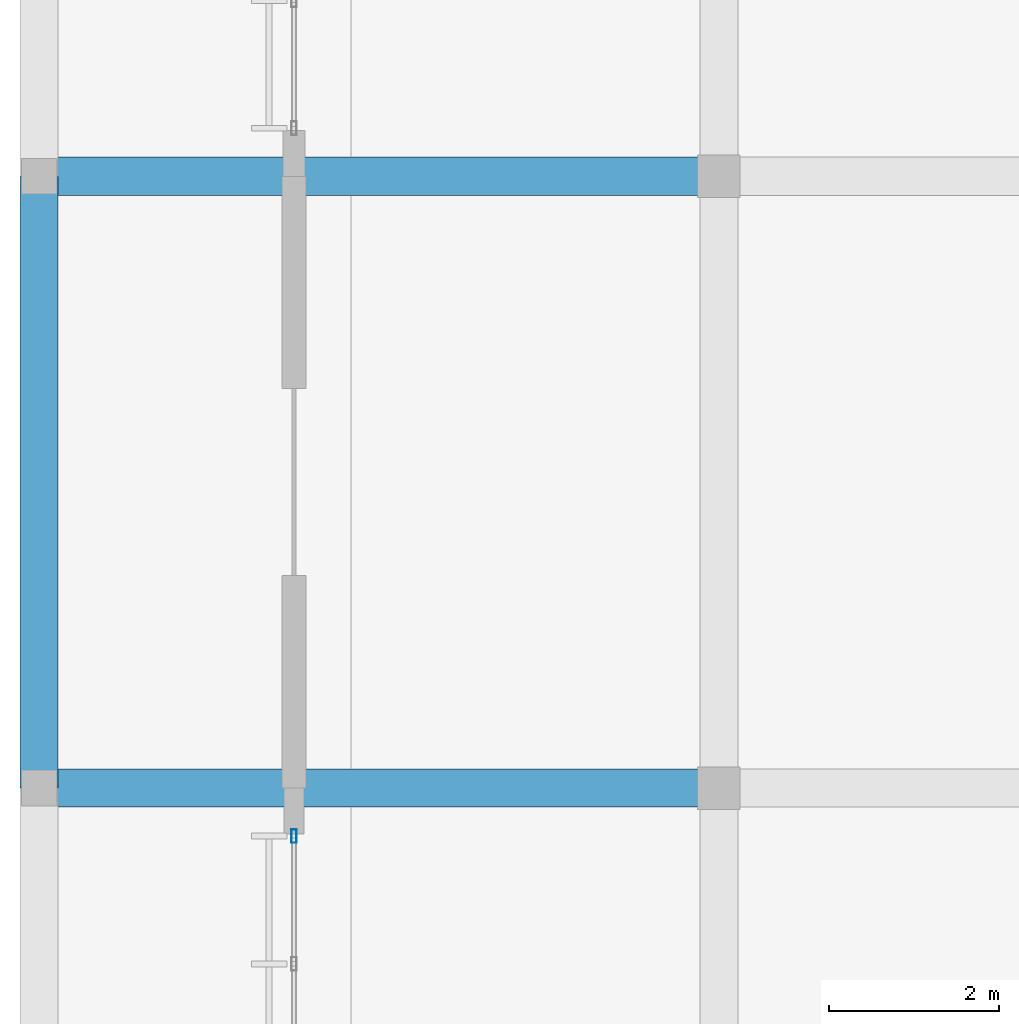
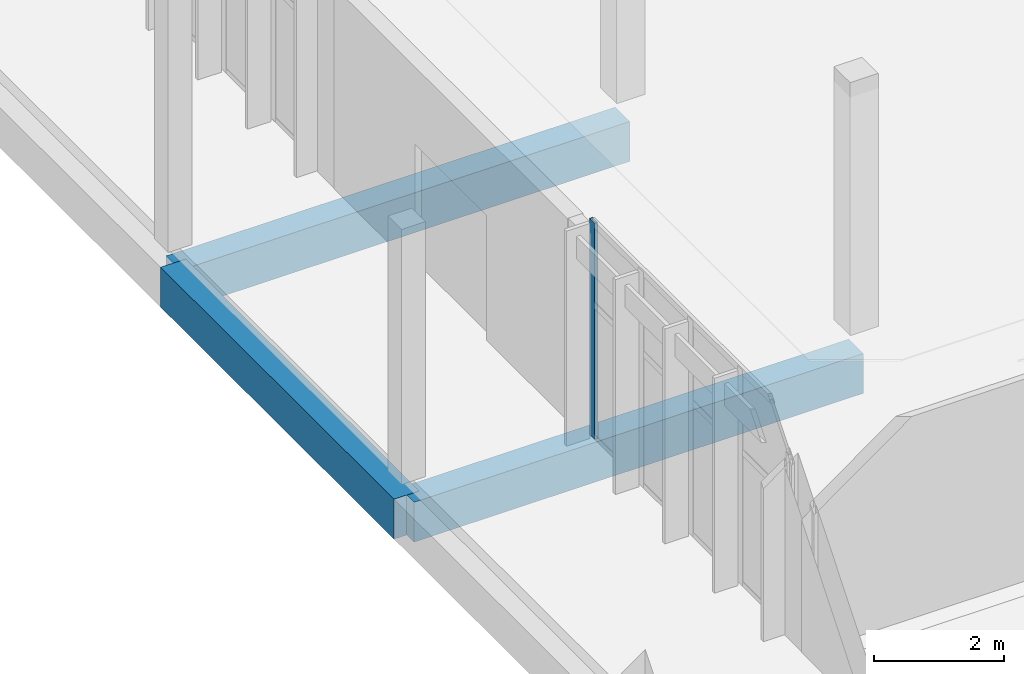
# One storey, part 48 of 151: 3 beams, 1 member, 1 element without a shape of its own.
"""IFC4 building model written with IfcOpenShell, lengths in metres."""

from ifc_helpers import new_model, si_unit, direction, frame, origin, origin_2d, place, context, subcontext, project, spatial, rectangle, hollow_rectangle, extrude, material, material_profile, profile_set, type_object, element, aggregate, save


model = new_model("IFC4")

# Units and contexts
model_context = context("Model", 3, precision=1e-05, world=origin(), true_north=direction((0.0, 1.0)))
body_context = subcontext(model_context, "Body", "Model", "MODEL_VIEW")
ifc_project = project(units=[si_unit("LENGTHUNIT", "METRE"), si_unit("AREAUNIT", "SQUARE_METRE"), si_unit("VOLUMEUNIT", "CUBIC_METRE"), si_unit("PLANEANGLEUNIT", "RADIAN"), si_unit("MASSUNIT", "GRAM", prefix="KILO")], contexts=[model_context])

# Site, building, storey
site_placement = place(None, origin())
site = spatial("IfcSite", under=ifc_project, at=site_placement, CompositionType="ELEMENT")
building_placement = place(site_placement, origin())
building = spatial("IfcBuilding", under=site, at=building_placement, Name="Chiffa Square Polytechnic", CompositionType="ELEMENT")
storey_placement = place(building_placement, origin())
storey = spatial("IfcBuildingStorey", under=building, at=storey_placement, Name="L00", CompositionType="ELEMENT", Elevation=0.0)

# Curtain wall, member
ifc_material_1 = material(Name="Aluminium EN AW-6060 T66 and glulam shading", Category="wood")
curtain_wall_type = type_object("IfcCurtainWallType", Name="CW-VERT-600X380", PredefinedType="USERDEFINED", material=ifc_material_1)
curtain_wall_placement = place(storey_placement, origin())
curtain_wall = element("IfcCurtainWall", 1, at=curtain_wall_placement, inside=storey, type_object=curtain_wall_type, Name="Curtain wall CW-V6-L00-252", ObjectType="CURTAIN WALL", PredefinedType="USERDEFINED")
ifc_material_2 = material(Name="Aluminium EN AW-6060 T66", Category="aluminium")
ifc_material_profile_1 = material_profile(ifc_material_2, hollow_rectangle(XDim=0.06005859375, YDim=0.159912109375, WallThickness=0.00390625, at=origin_2d()), Name="ALU 60x160x4")
ifc_profile_set_1 = profile_set([ifc_material_profile_1], Name="Aluminium EN AW-6060 T66")
member_type = type_object("IfcMemberType", Name="CWM-ALU-65X150", PredefinedType="MULLION", material=ifc_profile_set_1)
member_placement = place(storey_placement, frame((3.0, 72.034912109375, 0.0), z_axis=(0.0, 0.0, 1.0), x_axis=(1.0, 0.0, 0.0)))
member = element("IfcMember", 2, at=member_placement, type_object=member_type, Name="Curtain wall mullion CW-V6-L00-252-M00", PredefinedType="MULLION", context=body_context, shape_type="SweptSolid", body=[
    extrude(hollow_rectangle(XDim=0.06005859375, YDim=0.159912109375, WallThickness=0.00390625, at=origin_2d()), origin(), (0.0, 0.0, 1.0), 4.06494140625),
])
aggregate(curtain_wall, [member])

# Beams
ifc_material_3 = material(Name="Concrete C35/45", Category="concrete")
ifc_material_profile_2 = material_profile(ifc_material_3, rectangle(XDim=0.449951171875, YDim=0.75, at=origin_2d()), Name="RC 450x750")
ifc_profile_set_2 = profile_set([ifc_material_profile_2], Name="Concrete C35/45")
beam_type = type_object("IfcBeamType", Name="GB-RC-450X750", PredefinedType="BEAM", material=ifc_profile_set_2)
for number, where, z_axis, x_axis, name in (
    (3, (0.0, 72.60009765625, -0.77490234375), (1.0, 0.0, 0.0), (0.0, 1.0, 0.0), "Ground tie beam GB-V6-X-173"),
    (4, (0.0, 79.800048828125, -0.77490234375), (1.0, 0.0, 0.0), (0.0, 1.0, 0.0), "Ground tie beam GB-V6-X-177"),
):
    element("IfcBeam", number, at=place(storey_placement, frame(where, z_axis=z_axis, x_axis=x_axis)), inside=storey, type_object=beam_type, Name=name, PredefinedType="BEAM", context=body_context, shape_type="SweptSolid", body=[
        extrude(rectangle(XDim=0.449951171875, YDim=0.75, at=origin_2d()), origin(), (0.0, 0.0, 1.0), 8.0),
    ])
beam_placement = place(storey_placement, frame((0.0, 72.60009765625, -0.77490234375), z_axis=(0.0, 1.0, 0.0), x_axis=(-1.0, 0.0, 0.0)))
element("IfcBeam", 5, at=beam_placement, inside=storey, type_object=beam_type, Name="Ground tie beam GB-V6-Y-200", PredefinedType="BEAM", context=body_context, shape_type="SweptSolid", body=[
    extrude(rectangle(XDim=0.449951171875, YDim=0.75, at=origin_2d()), origin(), (0.0, 0.0, 1.0), 7.199951171875),
])

save(model, "model.ifc")
